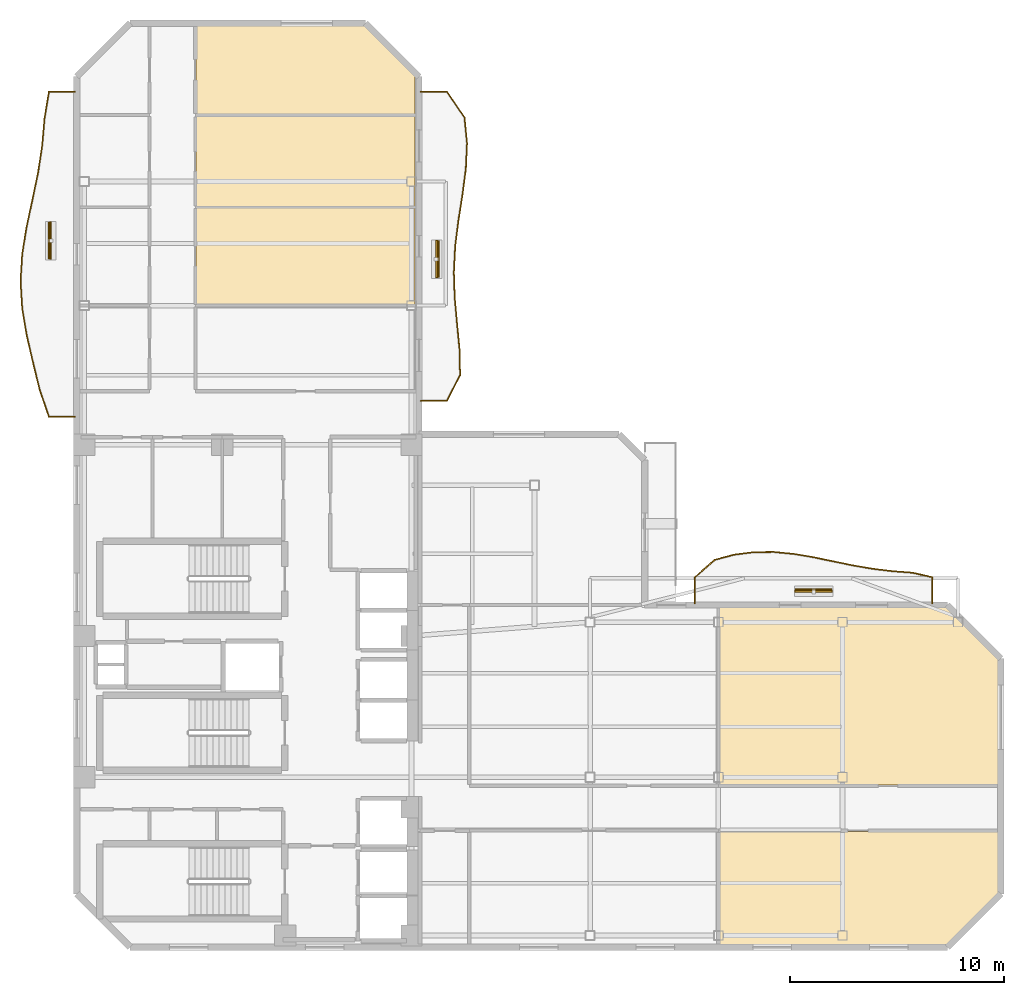
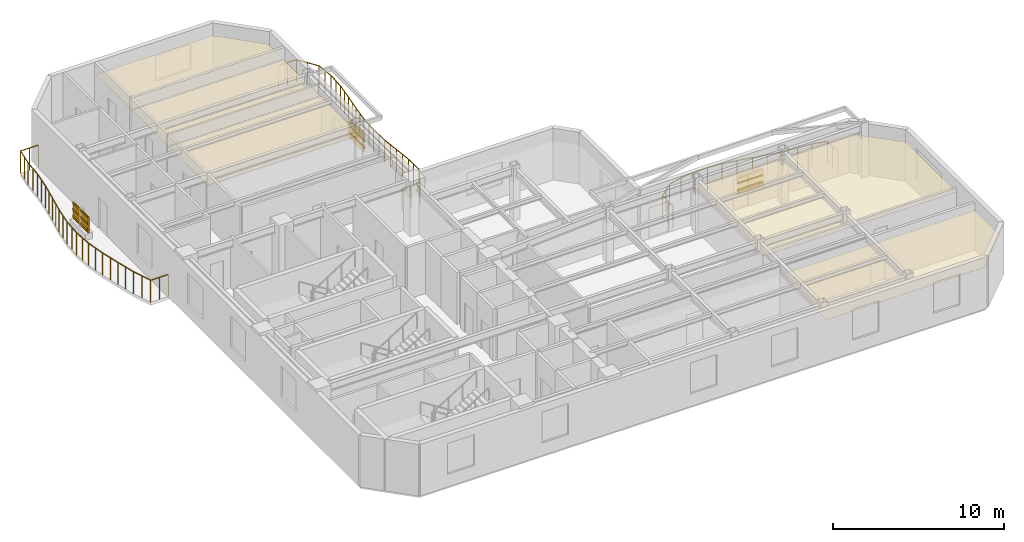
# One storey, part 8 of 8: 12 shading devices, 5 coverings, 3 railings.
"""IFC4 building model written with IfcOpenShell, lengths in metres."""

from ifc_helpers import new_model, si_unit, direction, frame, origin, origin_2d, place, context, subcontext, project, spatial, polyline, rectangle, outline, extrude, material, layer, layer_set, material_profile, profile_set, type_object, element, save


model = new_model("IFC4")

# Units and contexts
model_context = context("Model", 3, precision=1e-05, world=origin(), true_north=direction((0.0, 1.0)))
body_context = subcontext(model_context, "Body", "Model", "MODEL_VIEW")
ifc_project = project(units=[si_unit("LENGTHUNIT", "METRE"), si_unit("AREAUNIT", "SQUARE_METRE"), si_unit("VOLUMEUNIT", "CUBIC_METRE"), si_unit("PLANEANGLEUNIT", "RADIAN"), si_unit("MASSUNIT", "GRAM", prefix="KILO")], contexts=[model_context])

# Site, building, storey
site_placement = place(None, origin())
site = spatial("IfcSite", under=ifc_project, at=site_placement, CompositionType="ELEMENT")
building_placement = place(site_placement, origin())
building = spatial("IfcBuilding", under=site, at=building_placement, Name="Mawjaban Terraces University", CompositionType="ELEMENT")
storey_placement = place(building_placement, frame((0.0, 0.0, 187.5)))
storey = spatial("IfcBuildingStorey", under=building, at=storey_placement, Name="L45", CompositionType="ELEMENT", Elevation=187.5)

# Coverings
ifc_material_1 = material(Name="Acoustic mineral fibre ceiling tile", Category="masonry")
ifc_layer_1 = layer(ifc_material_1, 0.02001953125)
ifc_layer_set_1 = layer_set([ifc_layer_1], Name="Acoustic mineral fibre ceiling tile")
covering_type = type_object("IfcCoveringType", Name="AcousticMineralCeiling_20", PredefinedType="CEILING", material=ifc_layer_set_1)
covering_1_placement = place(storey_placement, frame((0.0, 0.0, 2.75)))
element("IfcCovering", 1, at=covering_1_placement, inside=storey, type_object=covering_type, Name="L45 Design Studio 4 Acoustic Ceiling", PredefinedType="CEILING", context=body_context, shape_type="SweptSolid", body=[
    extrude(outline(polyline([(52.030029296875, 0.114990234375), (62.653076171875, 0.114990234375), (65.0849609375, 2.547119140625), (65.0849609375, 5.419921875), (52.030029296875, 5.419921875), (52.030029296875, 0.114990234375)])), origin(), (0.0, 0.0, 1.0), 0.02001953125),
])
covering_2_placement = place(storey_placement, frame((0.0, 0.0, 2.75)))
element("IfcCovering", 2, at=covering_2_placement, inside=storey, type_object=covering_type, Name="L45 Faculty Office 5 Acoustic Ceiling", PredefinedType="CEILING", context=body_context, shape_type="SweptSolid", body=[
    extrude(outline(polyline([(65.0849609375, 7.580078125), (65.0849609375, 13.452880859375), (62.653076171875, 15.885009765625), (52.030029296875, 15.885009765625), (52.030029296875, 7.580078125), (65.0849609375, 7.580078125)])), origin(), (0.0, 0.0, 1.0), 0.02001953125),
])
covering_3_placement = place(storey_placement, frame((0.0, 0.0, 2.75)))
element("IfcCovering", 3, at=covering_3_placement, inside=storey, type_object=covering_type, Name="L45 Departmental Office 9 Acoustic Ceiling", PredefinedType="CEILING", context=body_context, shape_type="SweptSolid", body=[
    extrude(outline(polyline([(37.820068359375, 30.030029296875), (37.820068359375, 34.570068359375), (27.580078125, 34.570068359375), (27.580078125, 30.030029296875), (37.820068359375, 30.030029296875)])), origin(), (0.0, 0.0, 1.0), 0.02001953125),
])
covering_4_placement = place(storey_placement, frame((0.0, 0.0, 2.75)))
element("IfcCovering", 4, at=covering_4_placement, inside=storey, type_object=covering_type, Name="L45 Student Tea Pantry 11 Acoustic Ceiling", PredefinedType="CEILING", context=body_context, shape_type="SweptSolid", body=[
    extrude(outline(polyline([(37.820068359375, 34.6298828125), (37.820068359375, 38.8701171875), (27.580078125, 38.8701171875), (27.580078125, 34.6298828125), (37.820068359375, 34.6298828125)])), origin(), (0.0, 0.0, 1.0), 0.02001953125),
])
covering_5_placement = place(storey_placement, frame((0.0, 0.0, 2.75)))
element("IfcCovering", 5, at=covering_5_placement, inside=storey, type_object=covering_type, Name="L45 Design Studio 13 Acoustic Ceiling", PredefinedType="CEILING", context=body_context, shape_type="SweptSolid", body=[
    extrude(outline(polyline([(37.820068359375, 40.718017578125), (35.452880859375, 43.0849609375), (27.580078125, 43.0849609375), (27.580078125, 38.929931640625), (37.820068359375, 38.929931640625), (37.820068359375, 40.718017578125)])), origin(), (0.0, 0.0, 1.0), 0.02001953125),
])

# Railings
ifc_material_2 = material(Name="Galvanised powder-coated steel S355", Category="steel")
railing_type = type_object("IfcRailingType", Name="BalconyBalustrade_1600", PredefinedType="BALUSTRADE", material=ifc_material_2)
railing_1_placement = place(storey_placement, frame((21.919921875, 24.800048828125, 0.0)))
element("IfcRailing", 6, at=railing_1_placement, inside=storey, type_object=railing_type, Name="L45 Balcony Guardrail west", PredefinedType="BALUSTRADE", context=body_context, shape_type="SweptSolid", body=[
    extrude(rectangle(XDim=0.048095703125, YDim=0.048095703125, at=origin_2d()), frame((0.0, 0.0, 1.576171875), z_axis=(-1.0, 0.0, 0.0), x_axis=(0.0, -1.0, 0.0)), (0.0, 0.0, 1.0), 1.219970703125),
    extrude(rectangle(XDim=0.048095703125, YDim=0.048095703125, at=origin_2d()), frame((-1.219970703125, 0.0, 1.576171875), z_axis=(-0.32545151155, 0.945558730926, 0.0), x_axis=(-0.945558730926, -0.32545151155, 0.0)), (0.0, 0.0, 1.0), 1.33984375),
    extrude(rectangle(XDim=0.048095703125, YDim=0.048095703125, at=origin_2d()), frame((-1.656005859375, 1.266845703125, 1.576171875), z_axis=(-0.236977743023, 0.971515079302, 0.0), x_axis=(-0.971515079302, -0.236977743023, 0.0)), (0.0, 0.0, 1.0), 1.30322265625),
    extrude(rectangle(XDim=0.048095703125, YDim=0.048095703125, at=origin_2d()), frame((-1.96484375, 2.532958984375, 1.576171875), z_axis=(-0.226161508623, 0.974089817223, 0.0), x_axis=(-0.974089817223, -0.226161508623, 0.0)), (0.0, 0.0, 1.0), 1.30078125),
    extrude(rectangle(XDim=0.048095703125, YDim=0.048095703125, at=origin_2d()), frame((-2.259033203125, 3.800048828125, 1.576171875), z_axis=(-0.165724056097, 0.986172164092, 0.0), x_axis=(-0.986172164092, -0.165724056097, 0.0)), (0.0, 0.0, 1.0), 1.28466796875),
    extrude(rectangle(XDim=0.048095703125, YDim=0.048095703125, at=origin_2d()), frame((-2.471923828125, 5.06689453125, 1.576171875), z_axis=(-0.060628716159, 0.998160387301, 0.0), x_axis=(-0.998160387301, -0.060628716159, 0.0)), (0.0, 0.0, 1.0), 1.2685546875),
    extrude(rectangle(XDim=0.048095703125, YDim=0.048095703125, at=origin_2d()), frame((-2.548828125, 6.3330078125, 1.576171875), z_axis=(0.059827119363, 0.998208753613, 0.0), x_axis=(-0.998208753613, 0.059827119363, 0.0)), (0.0, 0.0, 1.0), 1.26904296875),
    extrude(rectangle(XDim=0.048095703125, YDim=0.048095703125, at=origin_2d()), frame((-2.472900390625, 7.599853515625, 1.576171875), z_axis=(0.158843666488, 0.987303747393, 0.0), x_axis=(-0.987303747393, 0.158843666488, 0.0)), (0.0, 0.0, 1.0), 1.283447265625),
    extrude(rectangle(XDim=0.048095703125, YDim=0.048095703125, at=origin_2d()), frame((-2.26904296875, 8.866943359375, 1.576171875), z_axis=(0.210198511418, 0.977658726651, 0.0), x_axis=(-0.977658726651, 0.210198511418, 0.0)), (0.0, 0.0, 1.0), 1.295166015625),
    extrude(rectangle(XDim=0.048095703125, YDim=0.048095703125, at=origin_2d()), frame((-1.996826171875, 10.133056640625, 1.576171875), z_axis=(0.203946720068, 0.9789819893, 0.0), x_axis=(-0.9789819893, 0.203946720068, 0.0)), (0.0, 0.0, 1.0), 1.2939453125),
    extrude(rectangle(XDim=0.048095703125, YDim=0.048095703125, at=origin_2d()), frame((-1.73291015625, 11.39990234375, 1.576171875), z_axis=(0.152157354346, 0.988356281671, 0.0), x_axis=(-0.988356281671, 0.152157354346, 0.0)), (0.0, 0.0, 1.0), 1.281982421875),
    extrude(rectangle(XDim=0.048095703125, YDim=0.048095703125, at=origin_2d()), frame((-1.537841796875, 12.6669921875, 1.576171875), z_axis=(0.084937844408, 0.996386251705, 0.0), x_axis=(-0.996386251705, 0.084937844408, 0.0)), (0.0, 0.0, 1.0), 1.2705078125),
    extrude(rectangle(XDim=0.048095703125, YDim=0.048095703125, at=origin_2d()), frame((-1.429931640625, 13.932861328125, 1.576171875), z_axis=(0.163474171163, 0.986547614341, 0.0), x_axis=(-0.986547614341, 0.163474171163, 0.0)), (0.0, 0.0, 1.0), 1.284423828125),
    extrude(rectangle(XDim=0.048095703125, YDim=0.048095703125, at=origin_2d()), frame((-1.219970703125, 15.199951171875, 1.576171875), z_axis=(1.0, 0.0, 0.0), x_axis=(0.0, 1.0, 0.0)), (0.0, 0.0, 1.0), 1.219970703125),
    extrude(rectangle(XDim=0.0419921875, YDim=0.0419921875, at=origin_2d()), origin(), (0.0, 0.0, 1.0), 1.552001953125),
    extrude(rectangle(XDim=0.0419921875, YDim=0.0419921875, at=origin_2d()), frame((-0.60986328125, 0.0, 0.0)), (0.0, 0.0, 1.0), 1.552001953125),
    extrude(rectangle(XDim=0.0419921875, YDim=0.0419921875, at=origin_2d()), frame((-1.219970703125, 0.0, 0.0)), (0.0, 0.0, 1.0), 1.552001953125),
    extrude(rectangle(XDim=0.0419921875, YDim=0.0419921875, at=origin_2d()), frame((-1.43798828125, 0.63330078125, 0.0)), (0.0, 0.0, 1.0), 1.552001953125),
    extrude(rectangle(XDim=0.0419921875, YDim=0.0419921875, at=origin_2d()), frame((-1.656005859375, 1.266845703125, 0.0)), (0.0, 0.0, 1.0), 1.552001953125),
    extrude(rectangle(XDim=0.0419921875, YDim=0.0419921875, at=origin_2d()), frame((-1.810546875, 1.89990234375, 0.0)), (0.0, 0.0, 1.0), 1.552001953125),
    extrude(rectangle(XDim=0.0419921875, YDim=0.0419921875, at=origin_2d()), frame((-1.96484375, 2.532958984375, 0.0)), (0.0, 0.0, 1.0), 1.552001953125),
    extrude(rectangle(XDim=0.0419921875, YDim=0.0419921875, at=origin_2d()), frame((-2.11181640625, 3.16650390625, 0.0)), (0.0, 0.0, 1.0), 1.552001953125),
    extrude(rectangle(XDim=0.0419921875, YDim=0.0419921875, at=origin_2d()), frame((-2.259033203125, 3.800048828125, 0.0)), (0.0, 0.0, 1.0), 1.552001953125),
    extrude(rectangle(XDim=0.0419921875, YDim=0.0419921875, at=origin_2d()), frame((-2.365478515625, 4.43359375, 0.0)), (0.0, 0.0, 1.0), 1.552001953125),
    extrude(rectangle(XDim=0.0419921875, YDim=0.0419921875, at=origin_2d()), frame((-2.471923828125, 5.06689453125, 0.0)), (0.0, 0.0, 1.0), 1.552001953125),
    extrude(rectangle(XDim=0.0419921875, YDim=0.0419921875, at=origin_2d()), frame((-2.51025390625, 5.699951171875, 0.0)), (0.0, 0.0, 1.0), 1.552001953125),
    extrude(rectangle(XDim=0.0419921875, YDim=0.0419921875, at=origin_2d()), frame((-2.548828125, 6.3330078125, 0.0)), (0.0, 0.0, 1.0), 1.552001953125),
    extrude(rectangle(XDim=0.0419921875, YDim=0.0419921875, at=origin_2d()), frame((-2.5107421875, 6.96630859375, 0.0)), (0.0, 0.0, 1.0), 1.552001953125),
    extrude(rectangle(XDim=0.0419921875, YDim=0.0419921875, at=origin_2d()), frame((-2.472900390625, 7.599853515625, 0.0)), (0.0, 0.0, 1.0), 1.552001953125),
    extrude(rectangle(XDim=0.0419921875, YDim=0.0419921875, at=origin_2d()), frame((-2.37109375, 8.2333984375, 0.0)), (0.0, 0.0, 1.0), 1.552001953125),
    extrude(rectangle(XDim=0.0419921875, YDim=0.0419921875, at=origin_2d()), frame((-2.26904296875, 8.866943359375, 0.0)), (0.0, 0.0, 1.0), 1.552001953125),
    extrude(rectangle(XDim=0.0419921875, YDim=0.0419921875, at=origin_2d()), frame((-2.1328125, 9.5, 0.0)), (0.0, 0.0, 1.0), 1.552001953125),
    extrude(rectangle(XDim=0.0419921875, YDim=0.0419921875, at=origin_2d()), frame((-1.996826171875, 10.133056640625, 0.0)), (0.0, 0.0, 1.0), 1.552001953125),
    extrude(rectangle(XDim=0.0419921875, YDim=0.0419921875, at=origin_2d()), frame((-1.86474609375, 10.7666015625, 0.0)), (0.0, 0.0, 1.0), 1.552001953125),
    extrude(rectangle(XDim=0.0419921875, YDim=0.0419921875, at=origin_2d()), frame((-1.73291015625, 11.39990234375, 0.0)), (0.0, 0.0, 1.0), 1.552001953125),
    extrude(rectangle(XDim=0.0419921875, YDim=0.0419921875, at=origin_2d()), frame((-1.63525390625, 12.033447265625, 0.0)), (0.0, 0.0, 1.0), 1.552001953125),
    extrude(rectangle(XDim=0.0419921875, YDim=0.0419921875, at=origin_2d()), frame((-1.537841796875, 12.6669921875, 0.0)), (0.0, 0.0, 1.0), 1.552001953125),
    extrude(rectangle(XDim=0.0419921875, YDim=0.0419921875, at=origin_2d()), frame((-1.48388671875, 13.2998046875, 0.0)), (0.0, 0.0, 1.0), 1.552001953125),
    extrude(rectangle(XDim=0.0419921875, YDim=0.0419921875, at=origin_2d()), frame((-1.429931640625, 13.932861328125, 0.0)), (0.0, 0.0, 1.0), 1.552001953125),
    extrude(rectangle(XDim=0.0419921875, YDim=0.0419921875, at=origin_2d()), frame((-1.324951171875, 14.56640625, 0.0)), (0.0, 0.0, 1.0), 1.552001953125),
    extrude(rectangle(XDim=0.0419921875, YDim=0.0419921875, at=origin_2d()), frame((-1.219970703125, 15.199951171875, 0.0)), (0.0, 0.0, 1.0), 1.552001953125),
    extrude(rectangle(XDim=0.0419921875, YDim=0.0419921875, at=origin_2d()), frame((-0.60986328125, 15.199951171875, 0.0)), (0.0, 0.0, 1.0), 1.552001953125),
    extrude(rectangle(XDim=0.0419921875, YDim=0.0419921875, at=origin_2d()), frame((0.0, 15.199951171875, 0.0)), (0.0, 0.0, 1.0), 1.552001953125),
])
railing_2_placement = place(storey_placement, frame((50.89990234375, 16.080078125, 0.0)))
element("IfcRailing", 7, at=railing_2_placement, inside=storey, type_object=railing_type, Name="L45 Balcony Guardrail inner_north", PredefinedType="BALUSTRADE", context=body_context, shape_type="SweptSolid", body=[
    extrude(rectangle(XDim=0.048095703125, YDim=0.048095703125, at=origin_2d()), frame((0.0, 0.0, 1.576171875), z_axis=(0.0, 1.0, 0.0), x_axis=(-1.0, 0.0, 0.0)), (0.0, 0.0, 1.0), 1.219970703125),
    extrude(rectangle(XDim=0.048095703125, YDim=0.048095703125, at=origin_2d()), frame((0.0, 1.219970703125, 1.576171875), z_axis=(0.751138088968, 0.66014511382, 0.0), x_axis=(-0.66014511382, 0.751138088968, 0.0)), (0.0, 0.0, 1.0), 1.2314453125),
    extrude(rectangle(XDim=0.048095703125, YDim=0.048095703125, at=origin_2d()), frame((0.925048828125, 2.032958984375, 1.576171875), z_axis=(0.966703371565, 0.25589957289, 0.0), x_axis=(-0.25589957289, 0.966703371565, 0.0)), (0.0, 0.0, 1.0), 0.95703125),
    extrude(rectangle(XDim=0.048095703125, YDim=0.048095703125, at=origin_2d()), frame((1.85009765625, 2.27783203125, 1.576171875), z_axis=(0.992071080417, 0.125678046609, 0.0), x_axis=(-0.125678046609, 0.992071080417, 0.0)), (0.0, 0.0, 1.0), 0.932373046875),
    extrude(rectangle(XDim=0.048095703125, YDim=0.048095703125, at=origin_2d()), frame((2.775146484375, 2.39501953125, 1.576171875), z_axis=(0.999986069339, 0.00527836405, 0.0), x_axis=(-0.00527836405, 0.999986069339, 0.0)), (0.0, 0.0, 1.0), 0.925048828125),
    extrude(rectangle(XDim=0.048095703125, YDim=0.048095703125, at=origin_2d()), frame((3.7001953125, 2.39990234375, 1.576171875), z_axis=(0.995414804812, -0.095652320209, 0.0), x_axis=(0.095652320209, 0.995414804812, 0.0)), (0.0, 0.0, 1.0), 0.928955078125),
    extrude(rectangle(XDim=0.048095703125, YDim=0.048095703125, at=origin_2d()), frame((4.625, 2.31103515625, 1.576171875), z_axis=(0.985689019044, -0.168573893993, 0.0), x_axis=(0.168573893993, 0.985689019044, 0.0)), (0.0, 0.0, 1.0), 0.9384765625),
    extrude(rectangle(XDim=0.048095703125, YDim=0.048095703125, at=origin_2d()), frame((5.550048828125, 2.15283203125, 1.576171875), z_axis=(0.97915420629, -0.203118291408, 0.0), x_axis=(0.203118291408, 0.97915420629, 0.0)), (0.0, 0.0, 1.0), 0.94482421875),
    extrude(rectangle(XDim=0.048095703125, YDim=0.048095703125, at=origin_2d()), frame((6.47509765625, 1.9609375, 1.576171875), z_axis=(0.979563535819, -0.201134977796, 0.0), x_axis=(0.201134977796, 0.979563535819, 0.0)), (0.0, 0.0, 1.0), 0.9443359375),
    extrude(rectangle(XDim=0.048095703125, YDim=0.048095703125, at=origin_2d()), frame((7.400146484375, 1.77099609375, 1.576171875), z_axis=(0.98573221458, -0.168321125055, 0.0), x_axis=(0.168321125055, 0.98573221458, 0.0)), (0.0, 0.0, 1.0), 0.9384765625),
    extrude(rectangle(XDim=0.048095703125, YDim=0.048095703125, at=origin_2d()), frame((8.3251953125, 1.613037109375, 1.576171875), z_axis=(0.992863189159, -0.119258909997, 0.0), x_axis=(0.119258909997, 0.992863189159, 0.0)), (0.0, 0.0, 1.0), 0.931396484375),
    extrude(rectangle(XDim=0.048095703125, YDim=0.048095703125, at=origin_2d()), frame((9.25, 1.501953125, 1.576171875), z_axis=(0.99706376573, -0.076575760313, 0.0), x_axis=(0.076575760313, 0.99706376573, 0.0)), (0.0, 0.0, 1.0), 0.927734375),
    extrude(rectangle(XDim=0.048095703125, YDim=0.048095703125, at=origin_2d()), frame((10.175048828125, 1.430908203125, 1.576171875), z_axis=(0.974973360855, -0.22232171649, 0.0), x_axis=(0.22232171649, 0.974973360855, 0.0)), (0.0, 0.0, 1.0), 0.94873046875),
    extrude(rectangle(XDim=0.048095703125, YDim=0.048095703125, at=origin_2d()), frame((11.10009765625, 1.219970703125, 1.576171875), z_axis=(0.0, -1.0, 0.0), x_axis=(1.0, 0.0, 0.0)), (0.0, 0.0, 1.0), 1.219970703125),
    extrude(rectangle(XDim=0.0419921875, YDim=0.0419921875, at=origin_2d()), origin(), (0.0, 0.0, 1.0), 1.552001953125),
    extrude(rectangle(XDim=0.0419921875, YDim=0.0419921875, at=origin_2d()), frame((0.0, 0.60986328125, 0.0)), (0.0, 0.0, 1.0), 1.552001953125),
    extrude(rectangle(XDim=0.0419921875, YDim=0.0419921875, at=origin_2d()), frame((0.0, 1.219970703125, 0.0)), (0.0, 0.0, 1.0), 1.552001953125),
    extrude(rectangle(XDim=0.0419921875, YDim=0.0419921875, at=origin_2d()), frame((0.46240234375, 1.62646484375, 0.0)), (0.0, 0.0, 1.0), 1.552001953125),
    extrude(rectangle(XDim=0.0419921875, YDim=0.0419921875, at=origin_2d()), frame((0.925048828125, 2.032958984375, 0.0)), (0.0, 0.0, 1.0), 1.552001953125),
    extrude(rectangle(XDim=0.0419921875, YDim=0.0419921875, at=origin_2d()), frame((1.85009765625, 2.27783203125, 0.0)), (0.0, 0.0, 1.0), 1.552001953125),
    extrude(rectangle(XDim=0.0419921875, YDim=0.0419921875, at=origin_2d()), frame((2.775146484375, 2.39501953125, 0.0)), (0.0, 0.0, 1.0), 1.552001953125),
    extrude(rectangle(XDim=0.0419921875, YDim=0.0419921875, at=origin_2d()), frame((3.7001953125, 2.39990234375, 0.0)), (0.0, 0.0, 1.0), 1.552001953125),
    extrude(rectangle(XDim=0.0419921875, YDim=0.0419921875, at=origin_2d()), frame((4.625, 2.31103515625, 0.0)), (0.0, 0.0, 1.0), 1.552001953125),
    extrude(rectangle(XDim=0.0419921875, YDim=0.0419921875, at=origin_2d()), frame((5.550048828125, 2.15283203125, 0.0)), (0.0, 0.0, 1.0), 1.552001953125),
    extrude(rectangle(XDim=0.0419921875, YDim=0.0419921875, at=origin_2d()), frame((6.47509765625, 1.9609375, 0.0)), (0.0, 0.0, 1.0), 1.552001953125),
    extrude(rectangle(XDim=0.0419921875, YDim=0.0419921875, at=origin_2d()), frame((7.400146484375, 1.77099609375, 0.0)), (0.0, 0.0, 1.0), 1.552001953125),
    extrude(rectangle(XDim=0.0419921875, YDim=0.0419921875, at=origin_2d()), frame((8.3251953125, 1.613037109375, 0.0)), (0.0, 0.0, 1.0), 1.552001953125),
    extrude(rectangle(XDim=0.0419921875, YDim=0.0419921875, at=origin_2d()), frame((9.25, 1.501953125, 0.0)), (0.0, 0.0, 1.0), 1.552001953125),
    extrude(rectangle(XDim=0.0419921875, YDim=0.0419921875, at=origin_2d()), frame((10.175048828125, 1.430908203125, 0.0)), (0.0, 0.0, 1.0), 1.552001953125),
    extrude(rectangle(XDim=0.0419921875, YDim=0.0419921875, at=origin_2d()), frame((11.10009765625, 1.219970703125, 0.0)), (0.0, 0.0, 1.0), 1.552001953125),
    extrude(rectangle(XDim=0.0419921875, YDim=0.0419921875, at=origin_2d()), frame((11.10009765625, 0.60986328125, 0.0)), (0.0, 0.0, 1.0), 1.552001953125),
    extrude(rectangle(XDim=0.0419921875, YDim=0.0419921875, at=origin_2d()), frame((11.10009765625, 0.0, 0.0)), (0.0, 0.0, 1.0), 1.552001953125),
])
railing_3_placement = place(storey_placement, frame((38.080078125, 25.5400390625, 0.0)))
element("IfcRailing", 8, at=railing_3_placement, inside=storey, type_object=railing_type, Name="L45 Balcony Guardrail inner_east", PredefinedType="BALUSTRADE", context=body_context, shape_type="SweptSolid", body=[
    extrude(rectangle(XDim=0.048095703125, YDim=0.048095703125, at=origin_2d()), frame((0.0, 0.0, 1.576171875), z_axis=(1.0, 0.0, 0.0), x_axis=(0.0, 1.0, 0.0)), (0.0, 0.0, 1.0), 1.219970703125),
    extrude(rectangle(XDim=0.048095703125, YDim=0.048095703125, at=origin_2d()), frame((1.219970703125, 0.0, 1.576171875), z_axis=(0.459266245773, 0.888298663454, 0.0), x_axis=(-0.888298663454, 0.459266245773, 0.0)), (0.0, 0.0, 1.0), 1.356689453125),
    extrude(rectangle(XDim=0.048095703125, YDim=0.048095703125, at=origin_2d()), frame((1.843017578125, 1.205078125, 1.576171875), z_axis=(-0.020866782836, 0.999782264983, 0.0), x_axis=(-0.999782264983, -0.020866782836, 0.0)), (0.0, 0.0, 1.0), 1.205078125),
    extrude(rectangle(XDim=0.048095703125, YDim=0.048095703125, at=origin_2d()), frame((1.81787109375, 2.409912109375, 1.576171875), z_axis=(-0.095789257975, 0.995401636555, 0.0), x_axis=(-0.995401636555, -0.095789257975, 0.0)), (0.0, 0.0, 1.0), 1.210693359375),
    extrude(rectangle(XDim=0.048095703125, YDim=0.048095703125, at=origin_2d()), frame((1.701904296875, 3.614990234375, 1.576171875), z_axis=(-0.090790419304, 0.99587002152, 0.0), x_axis=(-0.99587002152, -0.090790419304, 0.0)), (0.0, 0.0, 1.0), 1.2099609375),
    extrude(rectangle(XDim=0.048095703125, YDim=0.048095703125, at=origin_2d()), frame((1.592041015625, 4.820068359375, 1.576171875), z_axis=(-0.032404452695, 0.999474837825, 0.0), x_axis=(-0.999474837825, -0.032404452695, 0.0)), (0.0, 0.0, 1.0), 1.20556640625),
    extrude(rectangle(XDim=0.048095703125, YDim=0.048095703125, at=origin_2d()), frame((1.552978515625, 6.02490234375, 1.576171875), z_axis=(0.051390674852, 0.998678626255, 0.0), x_axis=(-0.998678626255, 0.051390674852, 0.0)), (0.0, 0.0, 1.0), 1.206787109375),
    extrude(rectangle(XDim=0.048095703125, YDim=0.048095703125, at=origin_2d()), frame((1.614990234375, 7.22998046875, 1.576171875), z_axis=(0.12344086008, 0.992351930548, 0.0), x_axis=(-0.992351930548, 0.12344086008, 0.0)), (0.0, 0.0, 1.0), 1.21435546875),
    extrude(rectangle(XDim=0.048095703125, YDim=0.048095703125, at=origin_2d()), frame((1.764892578125, 8.43505859375, 1.576171875), z_axis=(0.154944782972, 0.987923131741, 0.0), x_axis=(-0.987923131741, 0.154944782972, 0.0)), (0.0, 0.0, 1.0), 1.219482421875),
    extrude(rectangle(XDim=0.048095703125, YDim=0.048095703125, at=origin_2d()), frame((1.953857421875, 9.639892578125, 1.576171875), z_axis=(0.130953267734, 0.991388542232, 0.0), x_axis=(-0.991388542232, 0.130953267734, 0.0)), (0.0, 0.0, 1.0), 1.215576171875),
    extrude(rectangle(XDim=0.048095703125, YDim=0.048095703125, at=origin_2d()), frame((2.113037109375, 10.844970703125, 1.576171875), z_axis=(0.045536184206, 0.998962689958, 0.0), x_axis=(-0.998962689958, 0.045536184206, 0.0)), (0.0, 0.0, 1.0), 1.206298828125),
    extrude(rectangle(XDim=0.048095703125, YDim=0.048095703125, at=origin_2d()), frame((2.16796875, 12.050048828125, 1.576171875), z_axis=(-0.099204257086, 0.995067090892, 0.0), x_axis=(-0.995067090892, -0.099204257086, 0.0)), (0.0, 0.0, 1.0), 1.210693359375),
    extrude(rectangle(XDim=0.048095703125, YDim=0.048095703125, at=origin_2d()), frame((2.0478515625, 13.2548828125, 1.576171875), z_axis=(-0.566245313914, 0.824236764813, 0.0), x_axis=(-0.824236764813, -0.566245313914, 0.0)), (0.0, 0.0, 1.0), 1.462158203125),
    extrude(rectangle(XDim=0.048095703125, YDim=0.048095703125, at=origin_2d()), frame((1.219970703125, 14.4599609375, 1.576171875), z_axis=(-1.0, 0.0, 0.0), x_axis=(0.0, -1.0, 0.0)), (0.0, 0.0, 1.0), 1.219970703125),
    extrude(rectangle(XDim=0.0419921875, YDim=0.0419921875, at=origin_2d()), origin(), (0.0, 0.0, 1.0), 1.552001953125),
    extrude(rectangle(XDim=0.0419921875, YDim=0.0419921875, at=origin_2d()), frame((0.60986328125, 0.0, 0.0)), (0.0, 0.0, 1.0), 1.552001953125),
    extrude(rectangle(XDim=0.0419921875, YDim=0.0419921875, at=origin_2d()), frame((1.219970703125, 0.0, 0.0)), (0.0, 0.0, 1.0), 1.552001953125),
    extrude(rectangle(XDim=0.0419921875, YDim=0.0419921875, at=origin_2d()), frame((1.531494140625, 0.6025390625, 0.0)), (0.0, 0.0, 1.0), 1.552001953125),
    extrude(rectangle(XDim=0.0419921875, YDim=0.0419921875, at=origin_2d()), frame((1.843017578125, 1.205078125, 0.0)), (0.0, 0.0, 1.0), 1.552001953125),
    extrude(rectangle(XDim=0.0419921875, YDim=0.0419921875, at=origin_2d()), frame((1.83056640625, 1.8076171875, 0.0)), (0.0, 0.0, 1.0), 1.552001953125),
    extrude(rectangle(XDim=0.0419921875, YDim=0.0419921875, at=origin_2d()), frame((1.81787109375, 2.409912109375, 0.0)), (0.0, 0.0, 1.0), 1.552001953125),
    extrude(rectangle(XDim=0.0419921875, YDim=0.0419921875, at=origin_2d()), frame((1.759765625, 3.012451171875, 0.0)), (0.0, 0.0, 1.0), 1.552001953125),
    extrude(rectangle(XDim=0.0419921875, YDim=0.0419921875, at=origin_2d()), frame((1.701904296875, 3.614990234375, 0.0)), (0.0, 0.0, 1.0), 1.552001953125),
    extrude(rectangle(XDim=0.0419921875, YDim=0.0419921875, at=origin_2d()), frame((1.64697265625, 4.217529296875, 0.0)), (0.0, 0.0, 1.0), 1.552001953125),
    extrude(rectangle(XDim=0.0419921875, YDim=0.0419921875, at=origin_2d()), frame((1.592041015625, 4.820068359375, 0.0)), (0.0, 0.0, 1.0), 1.552001953125),
    extrude(rectangle(XDim=0.0419921875, YDim=0.0419921875, at=origin_2d()), frame((1.572509765625, 5.42236328125, 0.0)), (0.0, 0.0, 1.0), 1.552001953125),
    extrude(rectangle(XDim=0.0419921875, YDim=0.0419921875, at=origin_2d()), frame((1.552978515625, 6.02490234375, 0.0)), (0.0, 0.0, 1.0), 1.552001953125),
    extrude(rectangle(XDim=0.0419921875, YDim=0.0419921875, at=origin_2d()), frame((1.583984375, 6.62744140625, 0.0)), (0.0, 0.0, 1.0), 1.552001953125),
    extrude(rectangle(XDim=0.0419921875, YDim=0.0419921875, at=origin_2d()), frame((1.614990234375, 7.22998046875, 0.0)), (0.0, 0.0, 1.0), 1.552001953125),
    extrude(rectangle(XDim=0.0419921875, YDim=0.0419921875, at=origin_2d()), frame((1.68994140625, 7.83251953125, 0.0)), (0.0, 0.0, 1.0), 1.552001953125),
    extrude(rectangle(XDim=0.0419921875, YDim=0.0419921875, at=origin_2d()), frame((1.764892578125, 8.43505859375, 0.0)), (0.0, 0.0, 1.0), 1.552001953125),
    extrude(rectangle(XDim=0.0419921875, YDim=0.0419921875, at=origin_2d()), frame((1.859375, 9.03759765625, 0.0)), (0.0, 0.0, 1.0), 1.552001953125),
    extrude(rectangle(XDim=0.0419921875, YDim=0.0419921875, at=origin_2d()), frame((1.953857421875, 9.639892578125, 0.0)), (0.0, 0.0, 1.0), 1.552001953125),
    extrude(rectangle(XDim=0.0419921875, YDim=0.0419921875, at=origin_2d()), frame((2.033447265625, 10.242431640625, 0.0)), (0.0, 0.0, 1.0), 1.552001953125),
    extrude(rectangle(XDim=0.0419921875, YDim=0.0419921875, at=origin_2d()), frame((2.113037109375, 10.844970703125, 0.0)), (0.0, 0.0, 1.0), 1.552001953125),
    extrude(rectangle(XDim=0.0419921875, YDim=0.0419921875, at=origin_2d()), frame((2.140625, 11.447509765625, 0.0)), (0.0, 0.0, 1.0), 1.552001953125),
    extrude(rectangle(XDim=0.0419921875, YDim=0.0419921875, at=origin_2d()), frame((2.16796875, 12.050048828125, 0.0)), (0.0, 0.0, 1.0), 1.552001953125),
    extrude(rectangle(XDim=0.0419921875, YDim=0.0419921875, at=origin_2d()), frame((2.10791015625, 12.65234375, 0.0)), (0.0, 0.0, 1.0), 1.552001953125),
    extrude(rectangle(XDim=0.0419921875, YDim=0.0419921875, at=origin_2d()), frame((2.0478515625, 13.2548828125, 0.0)), (0.0, 0.0, 1.0), 1.552001953125),
    extrude(rectangle(XDim=0.0419921875, YDim=0.0419921875, at=origin_2d()), frame((1.6337890625, 13.857421875, 0.0)), (0.0, 0.0, 1.0), 1.552001953125),
    extrude(rectangle(XDim=0.0419921875, YDim=0.0419921875, at=origin_2d()), frame((1.219970703125, 14.4599609375, 0.0)), (0.0, 0.0, 1.0), 1.552001953125),
    extrude(rectangle(XDim=0.0419921875, YDim=0.0419921875, at=origin_2d()), frame((0.60986328125, 14.4599609375, 0.0)), (0.0, 0.0, 1.0), 1.552001953125),
    extrude(rectangle(XDim=0.0419921875, YDim=0.0419921875, at=origin_2d()), frame((0.0, 14.4599609375, 0.0)), (0.0, 0.0, 1.0), 1.552001953125),
])

# Shading devices
ifc_material_3 = material(Name="Glazed architectural terracotta ceramic", Category="masonry")
ifc_material_profile = material_profile(ifc_material_3, rectangle(XDim=0.06494140625, YDim=0.110107421875, at=origin_2d()), Name="TBAG110X65")
ifc_profile_set = profile_set([ifc_material_profile], Name="Glazed architectural terracotta ceramic")
shading_device_type_1 = type_object("IfcShadingDeviceType", Name="TerracottaBaguette_110x65", PredefinedType="USERDEFINED", material=ifc_profile_set)
for number, where, z_axis, x_axis, name in (
    (9, (20.694091796875, 32.18408203125, 0.679931640625), (0.0, 1.0, 0.0), (-1.0, 0.0, 0.0), "L45 Horizontal Terracotta Baguette west.1"),
    (10, (20.694091796875, 32.18408203125, 1.14990234375), (0.0, 1.0, 0.0), (-1.0, 0.0, 0.0), "L45 Horizontal Terracotta Baguette west.2"),
    (11, (20.694091796875, 32.18408203125, 1.6201171875), (0.0, 1.0, 0.0), (-1.0, 0.0, 0.0), "L45 Horizontal Terracotta Baguette west.3"),
    (12, (55.60009765625, 16.72998046875, 0.679931640625), (1.0, 0.0, 0.0), (0.0, 1.0, 0.0), "L45 Horizontal Terracotta Baguette inner_north.1"),
    (13, (55.60009765625, 16.72998046875, 1.14990234375), (1.0, 0.0, 0.0), (0.0, 1.0, 0.0), "L45 Horizontal Terracotta Baguette inner_north.2"),
    (14, (55.60009765625, 16.72998046875, 1.6201171875), (1.0, 0.0, 0.0), (0.0, 1.0, 0.0), "L45 Horizontal Terracotta Baguette inner_north.3"),
    (15, (38.912109375, 31.318115234375, 0.679931640625), (0.0, 1.0, 0.0), (-1.0, 0.0, 0.0), "L45 Horizontal Terracotta Baguette inner_east.1"),
    (16, (38.912109375, 31.318115234375, 1.14990234375), (0.0, 1.0, 0.0), (-1.0, 0.0, 0.0), "L45 Horizontal Terracotta Baguette inner_east.2"),
    (17, (38.912109375, 31.318115234375, 1.6201171875), (0.0, 1.0, 0.0), (-1.0, 0.0, 0.0), "L45 Horizontal Terracotta Baguette inner_east.3"),
):
    element("IfcShadingDevice", number, at=place(storey_placement, frame(where, z_axis=z_axis, x_axis=x_axis)), inside=storey, type_object=shading_device_type_1, Name=name, ObjectType="BAGUETTE", PredefinedType="USERDEFINED", context=body_context, shape_type="SweptSolid", body=[
        extrude(rectangle(XDim=0.06494140625, YDim=0.110107421875, at=origin_2d()), origin(), (0.0, 0.0, 1.0), 1.699951171875),
    ])
ifc_layer_2 = layer(ifc_material_3, 0.080078125)
ifc_layer_set_2 = layer_set([ifc_layer_2], Name="Glazed architectural terracotta ceramic")
shading_device_type_2 = type_object("IfcShadingDeviceType", Name="TerracottaScreen_Perforated", PredefinedType="USERDEFINED", material=ifc_layer_set_2)
for number, where, z_axis, x_axis, name in (
    (18, (20.779052734375, 33.033935546875, 0.43994140625), (0.0, 0.0, 1.0), (0.0, 1.0, 0.0), "L45 Balcony Perforated Terracotta Screen west"),
    (19, (56.449951171875, 16.64501953125, 0.43994140625), (0.0, 0.0, 1.0), (1.0, 0.0, 0.0), "L45 Balcony Perforated Terracotta Screen inner_north"),
    (20, (38.826904296875, 32.16796875, 0.43994140625), (0.0, 0.0, 1.0), (0.0, 1.0, 0.0), "L45 Balcony Perforated Terracotta Screen inner_east"),
):
    element("IfcShadingDevice", number, at=place(storey_placement, frame(where, z_axis=z_axis, x_axis=x_axis)), inside=storey, type_object=shading_device_type_2, Name=name, ObjectType="SCREEN", PredefinedType="USERDEFINED", context=body_context, shape_type="SweptSolid", body=[
        extrude(rectangle(XDim=1.75, YDim=0.080078125, at=origin_2d()), origin(), (0.0, 0.0, 1.0), 1.14990234375),
    ])

save(model, "model.ifc")
